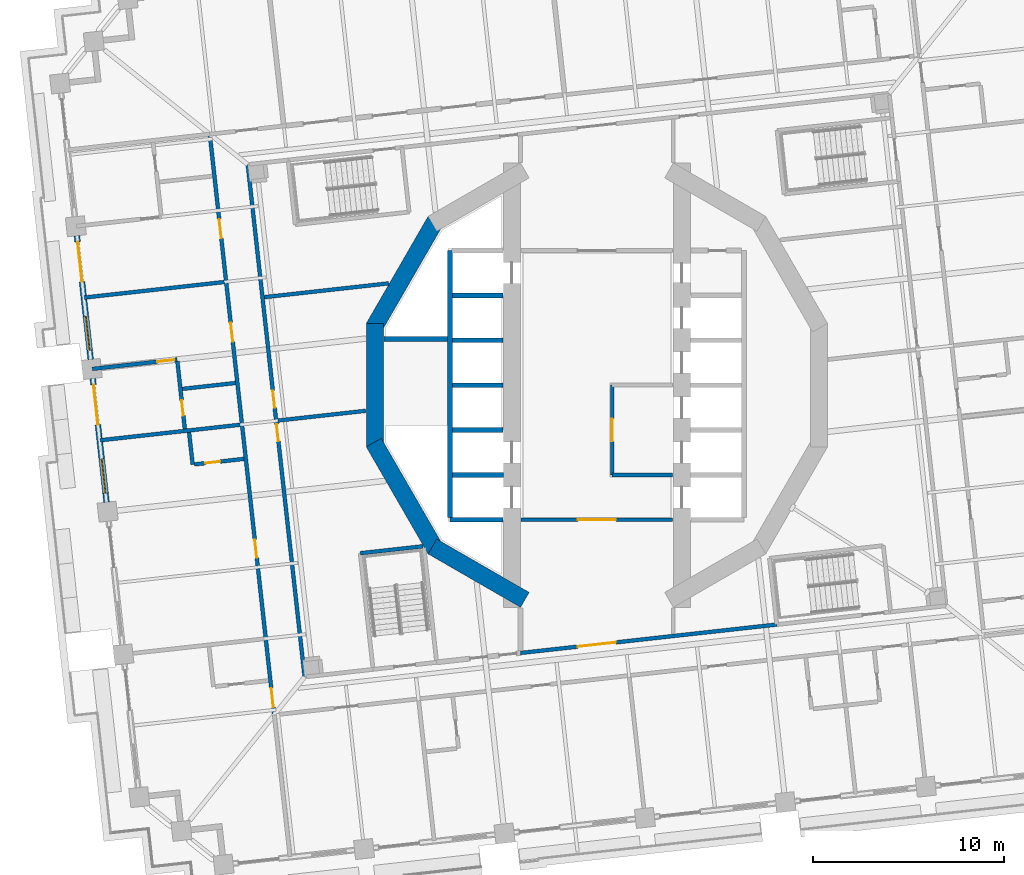
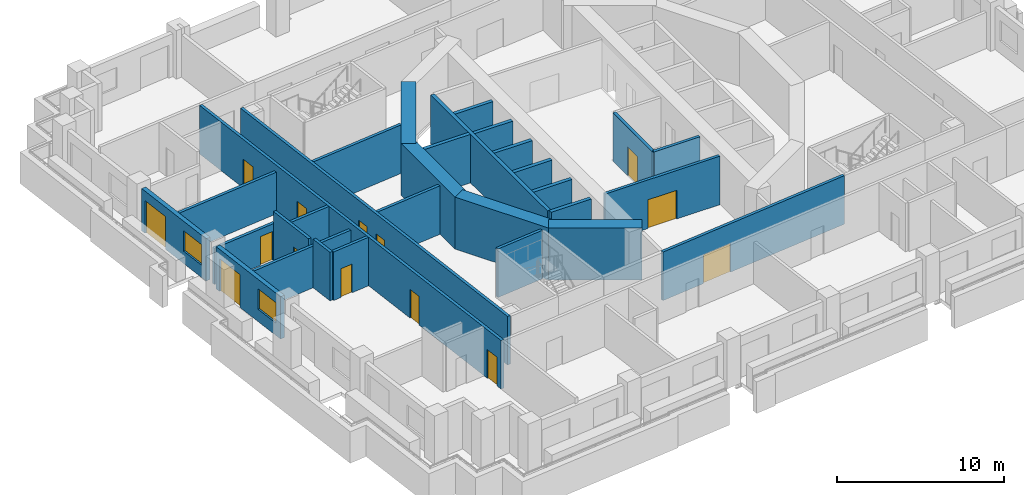
# One storey, part 5 of 19: 30 walls, 14 doors, 2 windows, 16 openings.
"""IFC4 building model written with IfcOpenShell, lengths in metres."""

from ifc_helpers import new_model, si_unit, direction, frame, frame_2d, origin, place, context, subcontext, project, spatial, rectangle, extrude, material, layer, layer_set, type_object, element, fill, save


model = new_model("IFC4")

# Units and contexts
model_context = context("Model", 3, precision=1e-05, world=origin(), true_north=direction((0.0, 1.0)))
body_context = subcontext(model_context, "Body", "Model", "MODEL_VIEW")
ifc_project = project(units=[si_unit("LENGTHUNIT", "METRE"), si_unit("AREAUNIT", "SQUARE_METRE"), si_unit("VOLUMEUNIT", "CUBIC_METRE"), si_unit("PLANEANGLEUNIT", "RADIAN"), si_unit("MASSUNIT", "GRAM", prefix="KILO")], contexts=[model_context])

# Site, building, storey
site_placement = place(None, origin())
site = spatial("IfcSite", under=ifc_project, at=site_placement, CompositionType="ELEMENT")
building_placement = place(site_placement, origin())
building = spatial("IfcBuilding", under=site, at=building_placement, Name="Cantera Rosa Tower", CompositionType="ELEMENT")
storey_placement = place(building_placement, frame((0.0, 0.0, 53.89990234375)))
storey = spatial("IfcBuildingStorey", under=building, at=storey_placement, Name="L10", CompositionType="ELEMENT", Elevation=53.89990234375)

# Wall, openings, doors
ifc_material_1 = material(Name="Gypsum board partition")
ifc_layer_1 = layer(ifc_material_1, 0.199951171875)
ifc_layer_set_1 = layer_set([ifc_layer_1], Name="CORRIDOR WALL 200 H3550")
wall_type_1 = type_object("IfcWallType", Name="CORRIDOR WALL 200 H3550", PredefinedType="PARTITIONING", material=ifc_layer_set_1)
wall_1_placement = place(storey_placement, frame((-20.2626953125, 13.04443359375, 0.0), z_axis=(0.0, 0.0, 1.0), x_axis=(0.110311163664, -0.993897100897, 0.0)))
wall_1 = element("IfcWall", 1, at=wall_1_placement, inside=storey, type_object=wall_type_1, Name="CORRIDOR WALL L10-008", PredefinedType="PARTITIONING", context=body_context, shape_type="SweptSolid", body=[
    extrude(rectangle(XDim=30.5, YDim=0.199951171875, at=frame_2d((15.25, 0.0))), origin(), (0.0, 0.0, 1.0), 3.550048828125),
])
opening_1_placement = place(wall_1_placement, frame((4.389892578125, 0.0, 0.0)))
opening_1 = element("IfcOpeningElement", 2, at=opening_1_placement, cuts=wall_1, Name="Opening L10-029", PredefinedType="OPENING", context=body_context, shape_type="SweptSolid", body=[
    extrude(rectangle(XDim=1.0, YDim=2.10009765625, at=frame_2d((0.5, 1.050048828125))), frame((0.0, 0.10986328125, 0.0), z_axis=(0.0, -1.0, 0.0), x_axis=(1.0, 0.0, 0.0)), (0.0, 0.0, 1.0), 0.219970703125),
])
opening_2_placement = place(wall_1_placement, frame((9.840087890625, 0.0, 0.0)))
opening_2 = element("IfcOpeningElement", 3, at=opening_2_placement, cuts=wall_1, Name="Opening L10-032", PredefinedType="OPENING", context=body_context, shape_type="SweptSolid", body=[
    extrude(rectangle(XDim=1.0, YDim=2.10009765625, at=frame_2d((0.5, 1.050048828125))), frame((0.0, 0.10986328125, 0.0), z_axis=(0.0, -1.0, 0.0), x_axis=(1.0, 0.0, 0.0)), (0.0, 0.0, 1.0), 0.219970703125),
])
opening_3_placement = place(wall_1_placement, frame((21.264892578125, 0.0, 0.0)))
opening_3 = element("IfcOpeningElement", 4, at=opening_3_placement, cuts=wall_1, Name="Opening L10-035", PredefinedType="OPENING", context=body_context, shape_type="SweptSolid", body=[
    extrude(rectangle(XDim=0.949951171875, YDim=2.10009765625, at=frame_2d((0.47509765625, 1.050048828125))), frame((0.0, 0.10986328125, 0.0), z_axis=(0.0, -1.0, 0.0), x_axis=(1.0, 0.0, 0.0)), (0.0, 0.0, 1.0), 0.219970703125),
])
opening_4_placement = place(wall_1_placement, frame((29.090087890625, 0.0, 0.0)))
opening_4 = element("IfcOpeningElement", 5, at=opening_4_placement, cuts=wall_1, Name="Opening L10-037", PredefinedType="OPENING", context=body_context, shape_type="SweptSolid", body=[
    extrude(rectangle(XDim=1.0, YDim=2.10009765625, at=frame_2d((0.5, 1.050048828125))), frame((0.0, 0.10986328125, 0.0), z_axis=(0.0, -1.0, 0.0), x_axis=(1.0, 0.0, 0.0)), (0.0, 0.0, 1.0), 0.219970703125),
])
ifc_material_2 = material(Name="Timber door leaf", Category="wood")
door_type_1 = type_object("IfcDoorType", Name="ENTRANCE DOOR 1000x2100", OperationType="NOTDEFINED", PredefinedType="DOOR", material=ifc_material_2)
door_1_placement = place(opening_1_placement, origin())
door_1 = element("IfcDoor", 6, at=door_1_placement, inside=storey, type_object=door_type_1, Name="DOOR L10-029", OperationType="NOTDEFINED", OverallHeight=2.10009765625, OverallWidth=1.0, PredefinedType="DOOR", context=body_context, shape_type="SweptSolid", body=[
    extrude(rectangle(XDim=1.0, YDim=2.10009765625, at=frame_2d((0.5, 1.050048828125))), frame((0.0, 0.02490234375, 0.0), z_axis=(0.0, -1.0, 0.0), x_axis=(1.0, 0.0, 0.0)), (0.0, 0.0, 1.0), 0.050048828125),
])
fill(opening_1, door_1)
door_2_placement = place(opening_2_placement, origin())
door_2 = element("IfcDoor", 7, at=door_2_placement, inside=storey, type_object=door_type_1, Name="DOOR L10-032", OperationType="NOTDEFINED", OverallHeight=2.10009765625, OverallWidth=1.0, PredefinedType="DOOR", context=body_context, shape_type="SweptSolid", body=[
    extrude(rectangle(XDim=1.0, YDim=2.10009765625, at=frame_2d((0.5, 1.050048828125))), frame((0.0, 0.02490234375, 0.0), z_axis=(0.0, -1.0, 0.0), x_axis=(1.0, 0.0, 0.0)), (0.0, 0.0, 1.0), 0.050048828125),
])
fill(opening_2, door_2)
door_3_placement = place(opening_4_placement, origin())
door_3 = element("IfcDoor", 8, at=door_3_placement, inside=storey, type_object=door_type_1, Name="DOOR L10-037", OperationType="NOTDEFINED", OverallHeight=2.10009765625, OverallWidth=1.0, PredefinedType="DOOR", context=body_context, shape_type="SweptSolid", body=[
    extrude(rectangle(XDim=1.0, YDim=2.10009765625, at=frame_2d((0.5, 1.050048828125))), frame((0.0, 0.02490234375, 0.0), z_axis=(0.0, -1.0, 0.0), x_axis=(1.0, 0.0, 0.0)), (0.0, 0.0, 1.0), 0.050048828125),
])
fill(opening_4, door_3)
ifc_material_3 = material(Name="Timber door leaf", Category="wood")
door_type_2 = type_object("IfcDoorType", Name="ROOM DOOR 950x2100", OperationType="NOTDEFINED", PredefinedType="DOOR", material=ifc_material_3)
door_4_placement = place(opening_3_placement, origin())
door_4 = element("IfcDoor", 9, at=door_4_placement, inside=storey, type_object=door_type_2, Name="DOOR L10-035", OperationType="NOTDEFINED", OverallHeight=2.10009765625, OverallWidth=0.949951171875, PredefinedType="DOOR", context=body_context, shape_type="SweptSolid", body=[
    extrude(rectangle(XDim=0.949951171875, YDim=2.10009765625, at=frame_2d((0.47509765625, 1.050048828125))), frame((0.0, 0.02490234375, 0.0), z_axis=(0.0, -1.0, 0.0), x_axis=(1.0, 0.0, 0.0)), (0.0, 0.0, 1.0), 0.050048828125),
])
fill(opening_3, door_4)

wall_2_placement = place(storey_placement, frame((-18.2861328125, 11.55322265625, 0.0), z_axis=(0.0, 0.0, 1.0), x_axis=(0.110315409641, -0.993896629633, 0.0)))
wall_2 = element("IfcWall", 10, at=wall_2_placement, inside=storey, type_object=wall_type_1, Name="CORRIDOR WALL L10-014", PredefinedType="PARTITIONING", context=body_context, shape_type="SweptSolid", body=[
    extrude(rectangle(XDim=27.0, YDim=0.199951171875, at=frame_2d((13.5, 0.0))), origin(), (0.0, 0.0, 1.0), 3.550048828125),
])
opening_5_placement = place(wall_2_placement, frame((11.91259765625, 0.0, 0.0)))
opening_5 = element("IfcOpeningElement", 11, at=opening_5_placement, cuts=wall_2, Name="Opening L10-008", PredefinedType="OPENING", context=body_context, shape_type="SweptSolid", body=[
    extrude(rectangle(XDim=0.89990234375, YDim=2.10009765625, at=frame_2d((0.449951171875, 1.050048828125))), frame((0.0, 0.10986328125, 0.0), z_axis=(0.0, -1.0, 0.0), x_axis=(1.0, 0.0, 0.0)), (0.0, 0.0, 1.0), 0.219970703125),
])
opening_6_placement = place(wall_2_placement, frame((13.679931640625, 0.0, 0.0)))
opening_6 = element("IfcOpeningElement", 12, at=opening_6_placement, cuts=wall_2, Name="Opening L10-009", PredefinedType="OPENING", context=body_context, shape_type="SweptSolid", body=[
    extrude(rectangle(XDim=0.89990234375, YDim=2.10009765625, at=frame_2d((0.449951171875, 1.050048828125))), frame((0.0, 0.10986328125, 0.0), z_axis=(0.0, -1.0, 0.0), x_axis=(1.0, 0.0, 0.0)), (0.0, 0.0, 1.0), 0.219970703125),
])
ifc_material_4 = material(Name="Timber door leaf", Category="wood")
door_type_3 = type_object("IfcDoorType", Name="SERVICE DOOR 900x2100", OperationType="NOTDEFINED", PredefinedType="DOOR", material=ifc_material_4)
door_5_placement = place(opening_5_placement, origin())
door_5 = element("IfcDoor", 13, at=door_5_placement, inside=storey, type_object=door_type_3, Name="DOOR L10-008", OperationType="NOTDEFINED", OverallHeight=2.10009765625, OverallWidth=0.89990234375, PredefinedType="DOOR", context=body_context, shape_type="SweptSolid", body=[
    extrude(rectangle(XDim=0.89990234375, YDim=2.10009765625, at=frame_2d((0.449951171875, 1.050048828125))), frame((0.0, 0.02490234375, 0.0), z_axis=(0.0, -1.0, 0.0), x_axis=(1.0, 0.0, 0.0)), (0.0, 0.0, 1.0), 0.050048828125),
])
fill(opening_5, door_5)
door_6_placement = place(opening_6_placement, origin())
door_6 = element("IfcDoor", 14, at=door_6_placement, inside=storey, type_object=door_type_3, Name="DOOR L10-009", OperationType="NOTDEFINED", OverallHeight=2.10009765625, OverallWidth=0.89990234375, PredefinedType="DOOR", context=body_context, shape_type="SweptSolid", body=[
    extrude(rectangle(XDim=0.89990234375, YDim=2.10009765625, at=frame_2d((0.449951171875, 1.050048828125))), frame((0.0, 0.02490234375, 0.0), z_axis=(0.0, -1.0, 0.0), x_axis=(1.0, 0.0, 0.0)), (0.0, 0.0, 1.0), 0.050048828125),
])
fill(opening_6, door_6)

# Wall, opening, door
wall_3_placement = place(storey_placement, frame((-4.0, -14.02685546875, 0.0), z_axis=(0.0, 0.0, 1.0), x_axis=(0.993897619869, 0.110306487659, 0.0)))
wall_3 = element("IfcWall", 15, at=wall_3_placement, inside=storey, type_object=wall_type_1, Name="CORRIDOR WALL L10-049", PredefinedType="PARTITIONING", context=body_context, shape_type="SweptSolid", body=[
    extrude(rectangle(XDim=13.5009765625, YDim=0.199951171875, at=frame_2d((6.75048828125, 0.0))), origin(), (0.0, 0.0, 1.0), 3.550048828125),
])
opening_7_placement = place(wall_3_placement, frame((3.024658203125, 0.0, 0.0)))
opening_7 = element("IfcOpeningElement", 16, at=opening_7_placement, cuts=wall_3, Name="Opening L10-014", PredefinedType="OPENING", context=body_context, shape_type="SweptSolid", body=[
    extrude(rectangle(XDim=2.0, YDim=2.10009765625, at=frame_2d((1.0, 1.050048828125))), frame((0.0, 0.10986328125, 0.0), z_axis=(0.0, -1.0, 0.0), x_axis=(1.0, 0.0, 0.0)), (0.0, 0.0, 1.0), 0.219970703125),
])
ifc_material_5 = material(Name="Steel S355J2 (EN 10025-2)", Category="steel")
door_type_4 = type_object("IfcDoorType", Name="LOBBY SCREEN DOOR 2000x2100", OperationType="NOTDEFINED", PredefinedType="DOOR", material=ifc_material_5)
door_7_placement = place(opening_7_placement, origin())
door_7 = element("IfcDoor", 17, at=door_7_placement, inside=storey, type_object=door_type_4, Name="DOOR L10-014", OperationType="NOTDEFINED", OverallHeight=2.10009765625, OverallWidth=2.0, PredefinedType="DOOR", context=body_context, shape_type="SweptSolid", body=[
    extrude(rectangle(XDim=2.0, YDim=2.10009765625, at=frame_2d((1.0, 1.050048828125))), frame((0.0, 0.02490234375, 0.0), z_axis=(0.0, -1.0, 0.0), x_axis=(1.0, 0.0, 0.0)), (0.0, 0.0, 1.0), 0.050048828125),
])
fill(opening_7, door_7)

wall_4_placement = place(storey_placement, frame((3.969970703125, -7.050048828125, 0.0), z_axis=(0.0, 0.0, 1.0), x_axis=(-1.0, 0.0, 0.0)))
wall_4 = element("IfcWall", 18, at=wall_4_placement, inside=storey, type_object=wall_type_1, Name="CORRIDOR WALL L10-057", PredefinedType="PARTITIONING", context=body_context, shape_type="SweptSolid", body=[
    extrude(rectangle(XDim=7.93994140625, YDim=0.199951171875, at=frame_2d((3.969970703125, 0.0))), origin(), (0.0, 0.0, 1.0), 3.550048828125),
])
opening_8_placement = place(wall_4_placement, frame((2.969970703125, 0.0, 0.0)))
opening_8 = element("IfcOpeningElement", 19, at=opening_8_placement, cuts=wall_4, Name="Opening L10-015", PredefinedType="OPENING", context=body_context, shape_type="SweptSolid", body=[
    extrude(rectangle(XDim=2.0, YDim=2.10009765625, at=frame_2d((1.0, 1.050048828125))), frame((0.0, 0.10986328125, 0.0), z_axis=(0.0, -1.0, 0.0), x_axis=(1.0, 0.0, 0.0)), (0.0, 0.0, 1.0), 0.219970703125),
])
door_8_placement = place(opening_8_placement, origin())
door_8 = element("IfcDoor", 20, at=door_8_placement, inside=storey, type_object=door_type_4, Name="DOOR L10-015", OperationType="NOTDEFINED", OverallHeight=2.10009765625, OverallWidth=2.0, PredefinedType="DOOR", context=body_context, shape_type="SweptSolid", body=[
    extrude(rectangle(XDim=2.0, YDim=2.10009765625, at=frame_2d((1.0, 1.050048828125))), frame((0.0, 0.02490234375, 0.0), z_axis=(0.0, -1.0, 0.0), x_axis=(1.0, 0.0, 0.0)), (0.0, 0.0, 1.0), 0.050048828125),
])
fill(opening_8, door_8)

# Wall, openings, window, door
ifc_material_6 = material(Name="Hollow clay masonry with cantera stone cladding", Category="masonry")
ifc_layer_2 = layer(ifc_material_6, 0.300048828125)
ifc_layer_set_2 = layer_set([ifc_layer_2], Name="EW-LOGGIA 300 H3090")
wall_type_2 = type_object("IfcWallType", Name="EW-LOGGIA 300 H3090", PredefinedType="SOLIDWALL", material=ifc_layer_set_2)
wall_5_placement = place(storey_placement, frame((-27.229248046875, 7.823974609375, 0.0), z_axis=(0.0, 0.0, 1.0), x_axis=(0.110312341265, -0.993896970196, 0.0)))
wall_5 = element("IfcWall", 21, at=wall_5_placement, inside=storey, type_object=wall_type_2, Name="EN-L10-W17", PredefinedType="SOLIDWALL", context=body_context, shape_type="SweptSolid", body=[
    extrude(rectangle(XDim=6.52001953125, YDim=0.300048828125, at=frame_2d((3.260009765625, 0.0))), origin(), (0.0, 0.0, 1.0), 3.090087890625),
])
opening_9_placement = place(wall_5_placement, frame((0.330078125, 0.0, 0.0)))
opening_9 = element("IfcOpeningElement", 22, at=opening_9_placement, cuts=wall_5, Name="Opening L10-TD21", PredefinedType="OPENING", context=body_context, shape_type="SweptSolid", body=[
    extrude(rectangle(XDim=2.10009765625, YDim=2.39990234375, at=frame_2d((1.050048828125, 1.199951171875))), frame((0.0, 0.159912109375, 0.0), z_axis=(0.0, -1.0, 0.0), x_axis=(1.0, 0.0, 0.0)), (0.0, 0.0, 1.0), 0.320068359375),
])
opening_10_placement = place(wall_5_placement, frame((4.239990234375, 0.0, 0.89990234375)))
opening_10 = element("IfcOpeningElement", 23, at=opening_10_placement, cuts=wall_5, Name="Opening L10-W22", PredefinedType="OPENING", context=body_context, shape_type="SweptSolid", body=[
    extrude(rectangle(XDim=1.800048828125, YDim=1.5, at=frame_2d((0.89990234375, 0.75))), frame((0.0, 0.159912109375, 0.0), z_axis=(0.0, -1.0, 0.0), x_axis=(1.0, 0.0, 0.0)), (0.0, 0.0, 1.0), 0.320068359375),
])
ifc_material_7 = material(Name="Aluminium frame with clear glass", Category="aluminium")
window_type = type_object("IfcWindowType", Name="Hotel room window 1800x1500", PartitioningType="DOUBLE_PANEL_VERTICAL", PredefinedType="WINDOW", material=ifc_material_7)
window_1_placement = place(opening_10_placement, origin())
window_1 = element("IfcWindow", 24, at=window_1_placement, inside=storey, type_object=window_type, Name="WINDOW L10-W22", OverallHeight=1.5, OverallWidth=1.800048828125, PartitioningType="SINGLE_PANEL", PredefinedType="WINDOW", context=body_context, shape_type="SweptSolid", body=[
    extrude(rectangle(XDim=1.800048828125, YDim=1.5, at=frame_2d((0.89990234375, 0.75))), frame((0.0, 0.030029296875, 0.0), z_axis=(0.0, -1.0, 0.0), x_axis=(1.0, 0.0, 0.0)), (0.0, 0.0, 1.0), 0.06005859375),
])
fill(opening_10, window_1)
ifc_material_8 = material(Name="Aluminium frame with clear glass", Category="aluminium")
door_type_5 = type_object("IfcDoorType", Name="TD-H 2100x2400", OperationType="NOTDEFINED", PredefinedType="DOOR", material=ifc_material_8)
door_9_placement = place(opening_9_placement, origin())
door_9 = element("IfcDoor", 25, at=door_9_placement, inside=storey, type_object=door_type_5, Name="LOGGIA DOOR L10-TD21", OperationType="SLIDING_TO_LEFT", OverallHeight=2.39990234375, OverallWidth=2.10009765625, PredefinedType="DOOR", context=body_context, shape_type="SweptSolid", body=[
    extrude(rectangle(XDim=2.10009765625, YDim=2.39990234375, at=frame_2d((1.050048828125, 1.199951171875))), frame((0.0, 0.02490234375, 0.0), z_axis=(0.0, -1.0, 0.0), x_axis=(1.0, 0.0, 0.0)), (0.0, 0.0, 1.0), 0.050048828125),
])
fill(opening_9, door_9)

wall_6_placement = place(storey_placement, frame((-26.399658203125, 0.349853515625, 0.0), z_axis=(0.0, 0.0, 1.0), x_axis=(0.110312341265, -0.993896970196, 0.0)))
wall_6 = element("IfcWall", 26, at=wall_6_placement, inside=storey, type_object=wall_type_2, Name="EN-L10-W18", PredefinedType="SOLIDWALL", context=body_context, shape_type="SweptSolid", body=[
    extrude(rectangle(XDim=6.52001953125, YDim=0.300048828125, at=frame_2d((3.260009765625, 0.0))), origin(), (0.0, 0.0, 1.0), 3.090087890625),
])
opening_11_placement = place(wall_6_placement, frame((0.330078125, 0.0, 0.0)))
opening_11 = element("IfcOpeningElement", 27, at=opening_11_placement, cuts=wall_6, Name="Opening L10-TD23", PredefinedType="OPENING", context=body_context, shape_type="SweptSolid", body=[
    extrude(rectangle(XDim=2.10009765625, YDim=2.39990234375, at=frame_2d((1.050048828125, 1.199951171875))), frame((0.0, 0.159912109375, 0.0), z_axis=(0.0, -1.0, 0.0), x_axis=(1.0, 0.0, 0.0)), (0.0, 0.0, 1.0), 0.320068359375),
])
opening_12_placement = place(wall_6_placement, frame((4.239990234375, 0.0, 0.89990234375)))
opening_12 = element("IfcOpeningElement", 28, at=opening_12_placement, cuts=wall_6, Name="Opening L10-W24", PredefinedType="OPENING", context=body_context, shape_type="SweptSolid", body=[
    extrude(rectangle(XDim=1.800048828125, YDim=1.5, at=frame_2d((0.89990234375, 0.75))), frame((0.0, 0.159912109375, 0.0), z_axis=(0.0, -1.0, 0.0), x_axis=(1.0, 0.0, 0.0)), (0.0, 0.0, 1.0), 0.320068359375),
])
window_2_placement = place(opening_12_placement, origin())
window_2 = element("IfcWindow", 29, at=window_2_placement, inside=storey, type_object=window_type, Name="WINDOW L10-W24", OverallHeight=1.5, OverallWidth=1.800048828125, PartitioningType="SINGLE_PANEL", PredefinedType="WINDOW", context=body_context, shape_type="SweptSolid", body=[
    extrude(rectangle(XDim=1.800048828125, YDim=1.5, at=frame_2d((0.89990234375, 0.75))), frame((0.0, 0.030029296875, 0.0), z_axis=(0.0, -1.0, 0.0), x_axis=(1.0, 0.0, 0.0)), (0.0, 0.0, 1.0), 0.06005859375),
])
fill(opening_12, window_2)
door_10_placement = place(opening_11_placement, origin())
door_10 = element("IfcDoor", 30, at=door_10_placement, inside=storey, type_object=door_type_5, Name="LOGGIA DOOR L10-TD23", OperationType="SLIDING_TO_LEFT", OverallHeight=2.39990234375, OverallWidth=2.10009765625, PredefinedType="DOOR", context=body_context, shape_type="SweptSolid", body=[
    extrude(rectangle(XDim=2.10009765625, YDim=2.39990234375, at=frame_2d((1.050048828125, 1.199951171875))), frame((0.0, 0.02490234375, 0.0), z_axis=(0.0, -1.0, 0.0), x_axis=(1.0, 0.0, 0.0)), (0.0, 0.0, 1.0), 0.050048828125),
])
fill(opening_11, door_10)

# Wall, opening, door
ifc_material_9 = material(Name="Gypsum board partition")
ifc_layer_3 = layer(ifc_material_9, 0.199951171875)
ifc_layer_set_3 = layer_set([ifc_layer_3], Name="PARTITION 200 H2650")
wall_type_3 = type_object("IfcWallType", Name="PARTITION 200 H2650", PredefinedType="PARTITIONING", material=ifc_layer_set_3)
wall_7_placement = place(storey_placement, frame((-26.425048828125, 0.85009765625, 0.0), z_axis=(0.0, 0.0, 1.0), x_axis=(0.993895052822, 0.11032961514, 0.0)))
wall_7 = element("IfcWall", 31, at=wall_7_placement, inside=storey, type_object=wall_type_3, Name="PARTITION L10-001", PredefinedType="PARTITIONING", context=body_context, shape_type="SweptSolid", body=[
    extrude(rectangle(XDim=4.469970703125, YDim=0.199951171875, at=frame_2d((2.23486328125, 0.0))), origin(), (0.0, 0.0, 1.0), 2.650146484375),
])
opening_13_placement = place(wall_7_placement, frame((3.419921875, 0.0, 0.0)))
opening_13 = element("IfcOpeningElement", 32, at=opening_13_placement, cuts=wall_7, Name="Opening L10-033", PredefinedType="OPENING", context=body_context, shape_type="SweptSolid", body=[
    extrude(rectangle(XDim=0.89990234375, YDim=2.10009765625, at=frame_2d((0.449951171875, 1.050048828125))), frame((0.0, 0.10986328125, 0.0), z_axis=(0.0, -1.0, 0.0), x_axis=(1.0, 0.0, 0.0)), (0.0, 0.0, 1.0), 0.219970703125),
])
ifc_material_10 = material(Name="Timber door leaf", Category="wood")
door_type_6 = type_object("IfcDoorType", Name="ROOM DOOR 900x2100", OperationType="NOTDEFINED", PredefinedType="DOOR", material=ifc_material_10)
door_11_placement = place(opening_13_placement, origin())
door_11 = element("IfcDoor", 33, at=door_11_placement, inside=storey, type_object=door_type_6, Name="DOOR L10-033", OperationType="NOTDEFINED", OverallHeight=2.10009765625, OverallWidth=0.89990234375, PredefinedType="DOOR", context=body_context, shape_type="SweptSolid", body=[
    extrude(rectangle(XDim=0.89990234375, YDim=2.10009765625, at=frame_2d((0.449951171875, 1.050048828125))), frame((0.0, 0.02490234375, 0.0), z_axis=(0.0, -1.0, 0.0), x_axis=(1.0, 0.0, 0.0)), (0.0, 0.0, 1.0), 0.050048828125),
])
fill(opening_13, door_11)

ifc_material_11 = material(Name="Gypsum board partition")
ifc_layer_4 = layer(ifc_material_11, 0.199951171875)
ifc_layer_set_4 = layer_set([ifc_layer_4], Name="PARTITION 200 H3550")
wall_type_4 = type_object("IfcWallType", Name="PARTITION 200 H3550", PredefinedType="PARTITIONING", material=ifc_layer_set_4)
wall_8_placement = place(storey_placement, frame((-21.97119140625, 1.243896484375, 0.0), z_axis=(0.0, 0.0, 1.0), x_axis=(0.110273460699, -0.993901284769, 0.0)))
wall_8 = element("IfcWall", 34, at=wall_8_placement, inside=storey, type_object=wall_type_4, Name="PARTITION L10-004", PredefinedType="PARTITIONING", context=body_context, shape_type="SweptSolid", body=[
    extrude(rectangle(XDim=3.56005859375, YDim=0.199951171875, at=frame_2d((1.780029296875, 0.0))), origin(), (0.0, 0.0, 1.0), 3.550048828125),
])
opening_14_placement = place(wall_8_placement, frame((2.050048828125, 0.0, 0.0)))
opening_14 = element("IfcOpeningElement", 35, at=opening_14_placement, cuts=wall_8, Name="Opening L10-034", PredefinedType="OPENING", context=body_context, shape_type="SweptSolid", body=[
    extrude(rectangle(XDim=0.800048828125, YDim=2.10009765625, at=frame_2d((0.39990234375, 1.050048828125))), frame((0.0, 0.10986328125, 0.0), z_axis=(0.0, -1.0, 0.0), x_axis=(1.0, 0.0, 0.0)), (0.0, 0.0, 1.0), 0.219970703125),
])
ifc_material_12 = material(Name="Timber door leaf", Category="wood")
door_type_7 = type_object("IfcDoorType", Name="BATHROOM DOOR 800x2100", OperationType="NOTDEFINED", PredefinedType="DOOR", material=ifc_material_12)
door_12_placement = place(opening_14_placement, origin())
door_12 = element("IfcDoor", 36, at=door_12_placement, inside=storey, type_object=door_type_7, Name="DOOR L10-034", OperationType="NOTDEFINED", OverallHeight=2.10009765625, OverallWidth=0.800048828125, PredefinedType="DOOR", context=body_context, shape_type="SweptSolid", body=[
    extrude(rectangle(XDim=0.800048828125, YDim=2.10009765625, at=frame_2d((0.39990234375, 1.050048828125))), frame((0.0, 0.02490234375, 0.0), z_axis=(0.0, -1.0, 0.0), x_axis=(1.0, 0.0, 0.0)), (0.0, 0.0, 1.0), 0.050048828125),
])
fill(opening_14, door_12)

# Walls
wall_9_placement = place(storey_placement, frame((-21.7109375, -0.1962890625, 0.0), z_axis=(0.0, 0.0, 1.0), x_axis=(0.99388905004, 0.110383677283, 0.0)))
element("IfcWall", 37, at=wall_9_placement, inside=storey, type_object=wall_type_4, Name="PARTITION L10-005", PredefinedType="PARTITIONING", context=body_context, shape_type="SweptSolid", body=[
    extrude(rectangle(XDim=2.800048828125, YDim=0.199951171875, at=frame_2d((1.39990234375, 0.0))), origin(), (0.0, 0.0, 1.0), 3.550048828125),
])
wall_10_placement = place(storey_placement, frame((-21.170166015625, -4.16064453125, 0.0), z_axis=(0.0, 0.0, 1.0), x_axis=(-0.110447289733, 0.99388198303, 0.0)))
element("IfcWall", 38, at=wall_10_placement, inside=storey, type_object=wall_type_4, Name="PARTITION L10-006", PredefinedType="PARTITIONING", context=body_context, shape_type="SweptSolid", body=[
    extrude(rectangle(XDim=1.699951171875, YDim=0.199951171875, at=frame_2d((0.85009765625, 0.0))), origin(), (0.0, 0.0, 1.0), 3.550048828125),
])

# Wall, opening, door
wall_11_placement = place(storey_placement, frame((-18.48681640625, -3.86279296875, 0.0), z_axis=(0.0, 0.0, 1.0), x_axis=(-0.993894037028, -0.110338765449, 0.0)))
wall_11 = element("IfcWall", 39, at=wall_11_placement, inside=storey, type_object=wall_type_4, Name="PARTITION L10-013", PredefinedType="PARTITIONING", context=body_context, shape_type="SweptSolid", body=[
    extrude(rectangle(XDim=2.599853515625, YDim=0.199951171875, at=frame_2d((1.2998046875, 0.0))), origin(), (0.0, 0.0, 1.0), 3.550048828125),
])
opening_15_placement = place(wall_11_placement, frame((1.236083984375, 0.0, 0.0)))
opening_15 = element("IfcOpeningElement", 40, at=opening_15_placement, cuts=wall_11, Name="Opening L10-036", PredefinedType="OPENING", context=body_context, shape_type="SweptSolid", body=[
    extrude(rectangle(XDim=0.800048828125, YDim=2.10009765625, at=frame_2d((0.39990234375, 1.050048828125))), frame((0.0, 0.10986328125, 0.0), z_axis=(0.0, -1.0, 0.0), x_axis=(1.0, 0.0, 0.0)), (0.0, 0.0, 1.0), 0.219970703125),
])
door_13_placement = place(opening_15_placement, origin())
door_13 = element("IfcDoor", 41, at=door_13_placement, inside=storey, type_object=door_type_7, Name="DOOR L10-036", OperationType="NOTDEFINED", OverallHeight=2.10009765625, OverallWidth=0.800048828125, PredefinedType="DOOR", context=body_context, shape_type="SweptSolid", body=[
    extrude(rectangle(XDim=0.800048828125, YDim=2.10009765625, at=frame_2d((0.39990234375, 1.050048828125))), frame((0.0, 0.02490234375, 0.0), z_axis=(0.0, -1.0, 0.0), x_axis=(1.0, 0.0, 0.0)), (0.0, 0.0, 1.0), 0.050048828125),
])
fill(opening_15, door_13)

# Walls
wall_12_placement = place(storey_placement, frame((-12.10400390625, -1.343505859375, 0.0), z_axis=(0.0, 0.0, 1.0), x_axis=(-0.993898542439, -0.11029817468, 0.0)))
element("IfcWall", 42, at=wall_12_placement, inside=storey, type_object=wall_type_4, Name="PARTITION L10-029", PredefinedType="PARTITIONING", context=body_context, shape_type="SweptSolid", body=[
    extrude(rectangle(XDim=4.621826171875, YDim=0.199951171875, at=frame_2d((2.31103515625, 0.0))), origin(), (0.0, 0.0, 1.0), 3.550048828125),
])
wall_13_placement = place(storey_placement, frame((-10.899169921875, 5.330078125, 0.0), z_axis=(0.0, 0.0, 1.0), x_axis=(-0.993900981435, -0.110276194628, 0.0)))
element("IfcWall", 43, at=wall_13_placement, inside=storey, type_object=wall_type_4, Name="PARTITION L10-032", PredefinedType="PARTITIONING", context=body_context, shape_type="SweptSolid", body=[
    extrude(rectangle(XDim=6.555419921875, YDim=0.199951171875, at=frame_2d((3.27783203125, 0.0))), origin(), (0.0, 0.0, 1.0), 3.550048828125),
])
ifc_material_13 = material(Name="Gypsum board partition")
ifc_layer_5 = layer(ifc_material_13, 0.199951171875)
ifc_layer_set_5 = layer_set([ifc_layer_5], Name="PARTY WALL 200 H3050")
wall_type_5 = type_object("IfcWallType", Name="PARTY WALL 200 H3050", PredefinedType="PARTITIONING", material=ifc_layer_set_5)
for number, where, z_axis, x_axis, name in (
    (44, (-19.514892578125, 5.400146484375, 0.0), (0.0, 0.0, 1.0), (-0.993897058864, -0.11031154238, 0.0), "PARTY WALL L10-011"),
    (45, (-18.685302734375, -2.073974609375, 0.0), (0.0, 0.0, 1.0), (-0.993897058864, -0.11031154238, 0.0), "PARTY WALL L10-012"),
):
    element("IfcWall", number, at=place(storey_placement, frame(where, z_axis=z_axis, x_axis=x_axis)), inside=storey, type_object=wall_type_5, Name=name, PredefinedType="PARTITIONING", context=body_context, shape_type="SweptSolid", body=[
        extrude(rectangle(XDim=7.369873046875, YDim=0.199951171875, at=frame_2d((3.68505859375, 0.0))), origin(), (0.0, 0.0, 1.0), 3.050048828125),
    ])
ifc_material_14 = material(Name="Concrete C70/85", Category="concrete")
ifc_layer_6 = layer(ifc_material_14, 0.89990234375)
ifc_layer_set_6 = layer_set([ifc_layer_6], Name="RC CORE WALL 900 C70/85")
wall_type_6 = type_object("IfcWallType", Name="RC CORE WALL 900 C70/85", PredefinedType="SHEAR", material=ifc_layer_set_6)
wall_14_placement = place(storey_placement, frame((-3.77490234375, -11.242919921875, 0.0), z_axis=(0.0, 0.0, 1.0), x_axis=(-0.866026961591, 0.49999730179, 0.0)))
element("IfcWall", 46, at=wall_14_placement, inside=storey, type_object=wall_type_6, Name="CW-W1 L10", PredefinedType="SHEAR", context=body_context, shape_type="SweptSolid", body=[
    extrude(rectangle(XDim=5.58740234375, YDim=0.89990234375, at=frame_2d((2.793701171875, 0.0))), origin(), (0.0, 0.0, 1.0), 3.800048828125),
])
wall_15_placement = place(storey_placement, frame((-8.44921875, -8.61376953125, 0.0), z_axis=(0.0, 0.0, 1.0), x_axis=(-0.499990282633, 0.866031014036, 0.0)))
element("IfcWall", 47, at=wall_15_placement, inside=storey, type_object=wall_type_6, Name="CW-W2 L10", PredefinedType="SHEAR", context=body_context, shape_type="SweptSolid", body=[
    extrude(rectangle(XDim=6.470458984375, YDim=0.89990234375, at=frame_2d((3.2353515625, 0.0))), origin(), (0.0, 0.0, 1.0), 3.800048828125),
])
wall_16_placement = place(storey_placement, frame((-11.6240234375, -3.2353515625, 0.0), z_axis=(0.0, 0.0, 1.0), x_axis=(0.0, 1.0, 0.0)))
element("IfcWall", 48, at=wall_16_placement, inside=storey, type_object=wall_type_6, Name="CW-W3 L10", PredefinedType="SHEAR", context=body_context, shape_type="SweptSolid", body=[
    extrude(rectangle(XDim=6.470703125, YDim=0.89990234375, at=frame_2d((3.2353515625, 0.0))), origin(), (0.0, 0.0, 1.0), 3.800048828125),
])
wall_17_placement = place(storey_placement, frame((-11.684326171875, 3.01025390625, 0.0), z_axis=(0.0, 0.0, 1.0), x_axis=(0.499990282633, 0.866031014036, 0.0)))
element("IfcWall", 49, at=wall_17_placement, inside=storey, type_object=wall_type_6, Name="CW-W4 L10", PredefinedType="SHEAR", context=body_context, shape_type="SweptSolid", body=[
    extrude(rectangle(XDim=6.470458984375, YDim=0.89990234375, at=frame_2d((3.2353515625, 0.0))), origin(), (0.0, 0.0, 1.0), 3.800048828125),
])
ifc_material_15 = material(Name="Masonry blockwork", Category="masonry")
ifc_layer_7 = layer(ifc_material_15, 0.25)
ifc_layer_set_7 = layer_set([ifc_layer_7], Name="SHAFT WALL 250 H3550")
wall_type_7 = type_object("IfcWallType", Name="SHAFT WALL 250 H3550", PredefinedType="SOLIDWALL", material=ifc_layer_set_7)
wall_18_placement = place(storey_placement, frame((-11.14404296875, 2.417724609375, 0.0), z_axis=(0.0, 0.0, 1.0), x_axis=(1.0, 0.0, 0.0)))
element("IfcWall", 50, at=wall_18_placement, inside=storey, type_object=wall_type_7, Name="SHAFT WALL L10-031", PredefinedType="SOLIDWALL", context=body_context, shape_type="SweptSolid", body=[
    extrude(rectangle(XDim=3.319091796875, YDim=0.25, at=frame_2d((1.65966796875, 0.0))), origin(), (0.0, 0.0, 1.0), 3.550048828125),
])
wall_19_placement = place(storey_placement, frame((-7.699951171875, -7.050048828125, 0.0), z_axis=(0.0, 0.0, 1.0), x_axis=(1.0, 0.0, 0.0)))
element("IfcWall", 51, at=wall_19_placement, inside=storey, type_object=wall_type_7, Name="SHAFT WALL L10-039", PredefinedType="SOLIDWALL", context=body_context, shape_type="SweptSolid", body=[
    extrude(rectangle(XDim=2.77001953125, YDim=0.25, at=frame_2d((1.385009765625, 0.0))), origin(), (0.0, 0.0, 1.0), 3.550048828125),
])
wall_20_placement = place(storey_placement, frame((-7.574951171875, -4.699951171875, 0.0), z_axis=(0.0, 0.0, 1.0), x_axis=(1.0, 0.0, 0.0)))
element("IfcWall", 52, at=wall_20_placement, inside=storey, type_object=wall_type_7, Name="SHAFT WALL L10-040", PredefinedType="SOLIDWALL", context=body_context, shape_type="SweptSolid", body=[
    extrude(rectangle(XDim=2.675048828125, YDim=0.25, at=frame_2d((1.33740234375, 0.0))), origin(), (0.0, 0.0, 1.0), 3.550048828125),
])
for number, where, z_axis, x_axis, name in (
    (53, (-7.574951171875, -2.35009765625, 0.0), (0.0, 0.0, 1.0), (1.0, 0.0, 0.0), "SHAFT WALL L10-041"),
    (54, (-7.574951171875, 0.0, 0.0), (0.0, 0.0, 1.0), (1.0, 0.0, 0.0), "SHAFT WALL L10-042"),
    (55, (-7.574951171875, 2.35009765625, 0.0), (0.0, 0.0, 1.0), (1.0, 0.0, 0.0), "SHAFT WALL L10-043"),
    (56, (-7.574951171875, 4.699951171875, 0.0), (0.0, 0.0, 1.0), (1.0, 0.0, 0.0), "SHAFT WALL L10-044"),
):
    element("IfcWall", number, at=place(storey_placement, frame(where, z_axis=z_axis, x_axis=x_axis)), inside=storey, type_object=wall_type_7, Name=name, PredefinedType="SOLIDWALL", context=body_context, shape_type="SweptSolid", body=[
        extrude(rectangle(XDim=2.64501953125, YDim=0.25, at=frame_2d((1.322509765625, 0.0))), origin(), (0.0, 0.0, 1.0), 3.550048828125),
    ])
wall_21_placement = place(storey_placement, frame((-7.699951171875, 7.050048828125, 0.0), z_axis=(0.0, 0.0, 1.0), x_axis=(0.0, -1.0, 0.0)))
element("IfcWall", 57, at=wall_21_placement, inside=storey, type_object=wall_type_7, Name="SHAFT WALL L10-045", PredefinedType="SOLIDWALL", context=body_context, shape_type="SweptSolid", body=[
    extrude(rectangle(XDim=13.97998046875, YDim=0.25, at=frame_2d((6.989990234375, 0.0))), origin(), (0.0, 0.0, 1.0), 3.550048828125),
])
ifc_material_16 = material(Name="Concrete C50/60", Category="concrete")
ifc_layer_8 = layer(ifc_material_16, 0.199951171875)
ifc_layer_set_8 = layer_set([ifc_layer_8], Name="STAIR WALL 200 H3550")
wall_type_8 = type_object("IfcWallType", Name="STAIR WALL 200 H3550", PredefinedType="SOLIDWALL", material=ifc_layer_set_8)
wall_22_placement = place(storey_placement, frame((-9.10498046875, -8.437744140625, 0.0), z_axis=(0.0, 0.0, 1.0), x_axis=(-0.993897215684, -0.110310129436, 0.0)))
element("IfcWall", 58, at=wall_22_placement, inside=storey, type_object=wall_type_8, Name="STAIR WALL L10-036", PredefinedType="SOLIDWALL", context=body_context, shape_type="SweptSolid", body=[
    extrude(rectangle(XDim=3.31103515625, YDim=0.199951171875, at=frame_2d((1.655517578125, 0.0))), origin(), (0.0, 0.0, 1.0), 3.550048828125),
])

# Wall, opening, door
wall_23_placement = place(storey_placement, frame((0.800048828125, -4.699951171875, 0.0), z_axis=(0.0, 0.0, 1.0), x_axis=(0.0, 1.0, 0.0)))
wall_23 = element("IfcWall", 59, at=wall_23_placement, inside=storey, type_object=wall_type_8, Name="STAIR WALL L10-054", PredefinedType="SOLIDWALL", context=body_context, shape_type="SweptSolid", body=[
    extrude(rectangle(XDim=4.699951171875, YDim=0.199951171875, at=frame_2d((2.35009765625, 0.0))), origin(), (0.0, 0.0, 1.0), 3.550048828125),
])
opening_16_placement = place(wall_23_placement, frame((1.75, 0.0, 0.0)))
opening_16 = element("IfcOpeningElement", 60, at=opening_16_placement, cuts=wall_23, Name="Opening L10-016", PredefinedType="OPENING", context=body_context, shape_type="SweptSolid", body=[
    extrude(rectangle(XDim=1.199951171875, YDim=2.10009765625, at=frame_2d((0.60009765625, 1.050048828125))), frame((0.0, 0.10986328125, 0.0), z_axis=(0.0, -1.0, 0.0), x_axis=(1.0, 0.0, 0.0)), (0.0, 0.0, 1.0), 0.219970703125),
])
ifc_material_17 = material(Name="Steel S355J2 (EN 10025-2)", Category="steel")
door_type_8 = type_object("IfcDoorType", Name="FIRE DOOR 1200x2100", OperationType="NOTDEFINED", PredefinedType="DOOR", material=ifc_material_17)
door_14_placement = place(opening_16_placement, origin())
door_14 = element("IfcDoor", 61, at=door_14_placement, inside=storey, type_object=door_type_8, Name="DOOR L10-016", OperationType="NOTDEFINED", OverallHeight=2.10009765625, OverallWidth=1.199951171875, PredefinedType="DOOR", context=body_context, shape_type="SweptSolid", body=[
    extrude(rectangle(XDim=1.199951171875, YDim=2.10009765625, at=frame_2d((0.60009765625, 1.050048828125))), frame((0.0, 0.02490234375, 0.0), z_axis=(0.0, -1.0, 0.0), x_axis=(1.0, 0.0, 0.0)), (0.0, 0.0, 1.0), 0.050048828125),
])
fill(opening_16, door_14)

# Wall
wall_24_placement = place(storey_placement, frame((3.969970703125, -4.699951171875, 0.0), z_axis=(0.0, 0.0, 1.0), x_axis=(-1.0, 0.0, 0.0)))
element("IfcWall", 62, at=wall_24_placement, inside=storey, type_object=wall_type_8, Name="STAIR WALL L10-058", PredefinedType="SOLIDWALL", context=body_context, shape_type="SweptSolid", body=[
    extrude(rectangle(XDim=3.169921875, YDim=0.199951171875, at=frame_2d((1.5849609375, 0.0))), origin(), (0.0, 0.0, 1.0), 3.550048828125),
])

save(model, "model.ifc")
